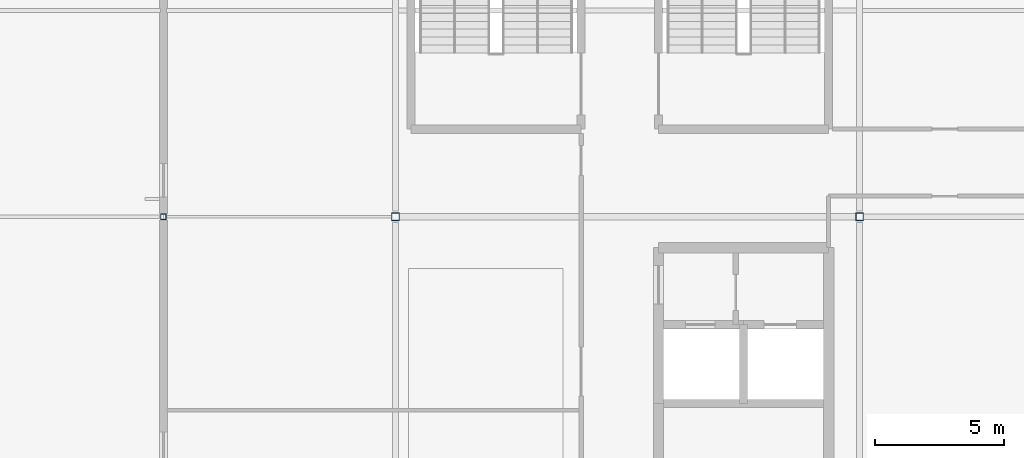
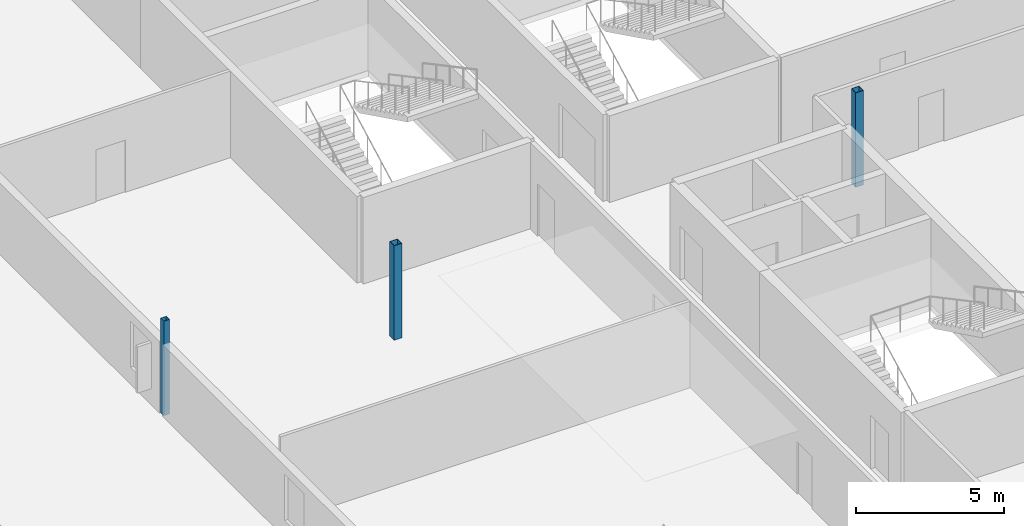
# One storey, part 12 of 55: 3 columns.
"""IFC4 building model written with IfcOpenShell, lengths in metres."""

from ifc_helpers import new_model, si_unit, direction, frame, origin, origin_2d, place, context, subcontext, project, spatial, hollow_rectangle, extrude, material, material_profile, profile_set, type_object, element, save


model = new_model("IFC4")

# Units and contexts
model_context = context("Model", 3, precision=1e-05, world=origin(), true_north=direction((0.0, 1.0)))
body_context = subcontext(model_context, "Body", "Model", "MODEL_VIEW")
ifc_project = project(units=[si_unit("LENGTHUNIT", "METRE"), si_unit("AREAUNIT", "SQUARE_METRE"), si_unit("VOLUMEUNIT", "CUBIC_METRE"), si_unit("PLANEANGLEUNIT", "RADIAN"), si_unit("MASSUNIT", "GRAM", prefix="KILO")], contexts=[model_context])

# Site, building, storey
site_placement = place(None, origin())
site = spatial("IfcSite", under=ifc_project, at=site_placement, CompositionType="ELEMENT")
building_placement = place(site_placement, origin())
building = spatial("IfcBuilding", under=site, at=building_placement, Name="Kisiwana Market Hall", CompositionType="ELEMENT")
storey_placement = place(building_placement, frame((0.0, 0.0, 37.800048828125)))
storey = spatial("IfcBuildingStorey", under=building, at=storey_placement, Name="L08", CompositionType="ELEMENT", Elevation=37.800048828125)

# Columns
ifc_material_1 = material(Name="Steel S355", Category="steel")
ifc_material_profile_1 = material_profile(ifc_material_1, hollow_rectangle(XDim=0.219970703125, YDim=0.219970703125, WallThickness=0.010009765625, at=origin_2d()), Name="SHS 220x220x10")
ifc_profile_set_1 = profile_set([ifc_material_profile_1], Name="Steel S355")
column_type_1 = type_object("IfcColumnType", Name="COL-STL-SHS220", PredefinedType="COLUMN", material=ifc_profile_set_1)
column_placement = place(storey_placement, frame((162.0, 36.0, 0.0), z_axis=(0.0, 0.0, 1.0), x_axis=(1.0, 0.0, 0.0)))
element("IfcColumn", 1, at=column_placement, inside=storey, type_object=column_type_1, Name="Column E/19 (L08) C-1182", PredefinedType="COLUMN", context=body_context, shape_type="SweptSolid", body=[
    extrude(hollow_rectangle(XDim=0.219970703125, YDim=0.219970703125, WallThickness=0.010009765625, at=origin_2d()), origin(), (0.0, 0.0, 1.0), 3.89990234375),
])
ifc_material_2 = material(Name="Steel S355", Category="steel")
ifc_material_profile_2 = material_profile(ifc_material_2, hollow_rectangle(XDim=0.300048828125, YDim=0.300048828125, WallThickness=0.012451171875, at=origin_2d()), Name="SHS 300x300x12.5")
ifc_profile_set_2 = profile_set([ifc_material_profile_2], Name="Steel S355")
column_type_2 = type_object("IfcColumnType", Name="COL-STL-SHS300", PredefinedType="COLUMN", material=ifc_profile_set_2)
for number, where, z_axis, x_axis, name in (
    (2, (171.0, 36.0, 0.0), (0.0, 0.0, 1.0), (1.0, 0.0, 0.0), "Column E/20 (L08) C-1188"),
    (3, (189.0, 36.0, 0.0), (0.0, 0.0, 1.0), (1.0, 0.0, 0.0), "Column E/22 (L08) C-1195"),
):
    element("IfcColumn", number, at=place(storey_placement, frame(where, z_axis=z_axis, x_axis=x_axis)), inside=storey, type_object=column_type_2, Name=name, PredefinedType="COLUMN", context=body_context, shape_type="SweptSolid", body=[
        extrude(hollow_rectangle(XDim=0.300048828125, YDim=0.300048828125, WallThickness=0.012451171875, at=origin_2d()), origin(), (0.0, 0.0, 1.0), 3.89990234375),
    ])

save(model, "model.ifc")
